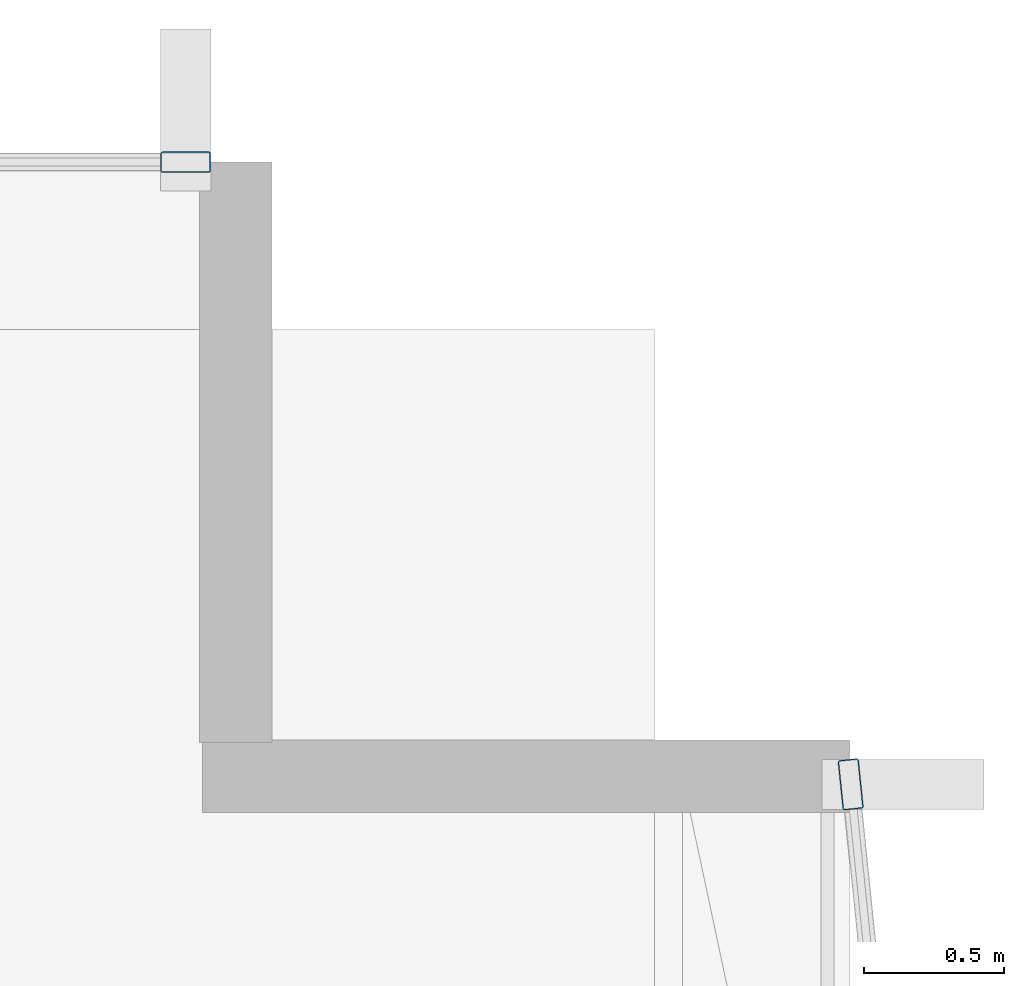
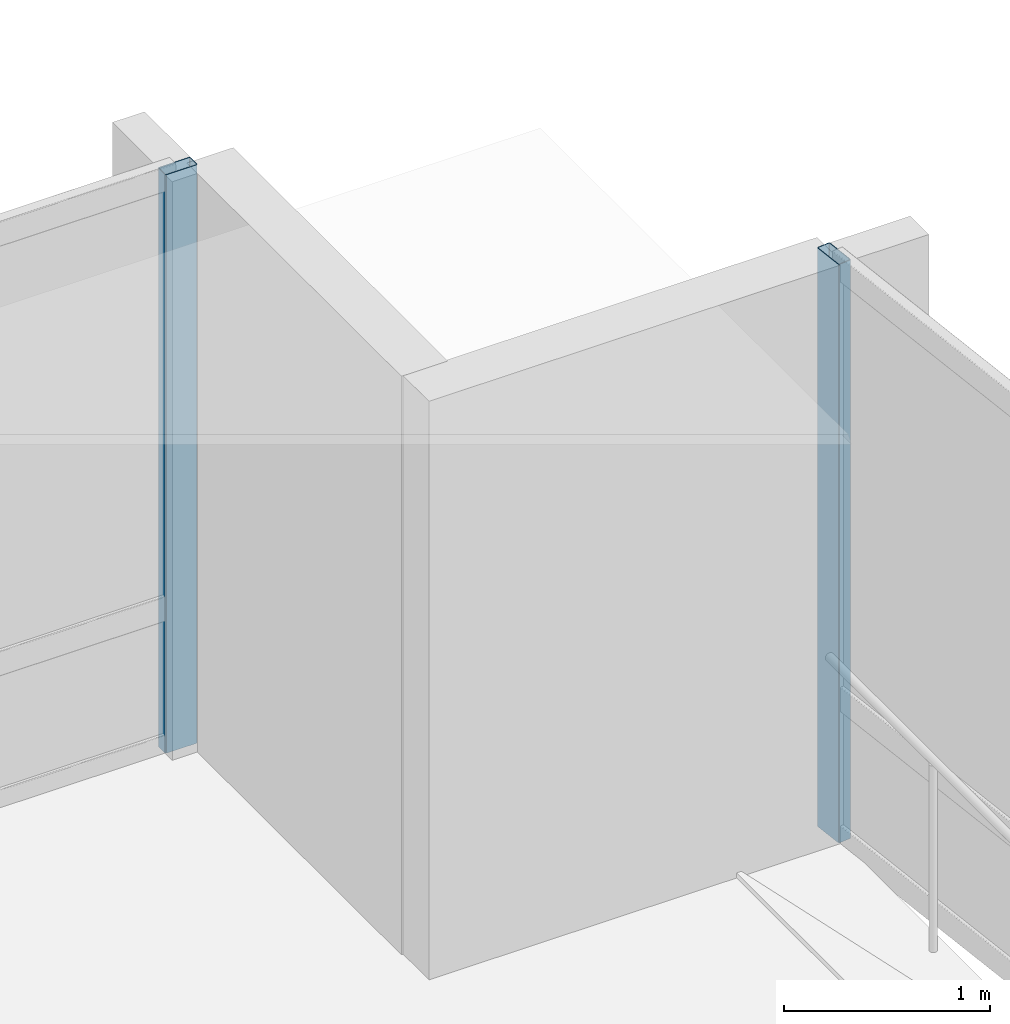
# One storey, part 17 of 34: 2 members, 2 elements without a shape of their own.
"""IFC4 building model written with IfcOpenShell, lengths in metres."""

from ifc_helpers import new_model, si_unit, direction, frame, origin, origin_2d, place, context, subcontext, project, spatial, hollow_rectangle, extrude, material, layer, layer_set, material_profile, profile_set, type_object, element, aggregate, save


model = new_model("IFC4")

# Units and contexts
model_context = context("Model", 3, precision=1e-05, world=origin(), true_north=direction((0.0, 1.0)))
body_context = subcontext(model_context, "Body", "Model", "MODEL_VIEW")
ifc_project = project(units=[si_unit("LENGTHUNIT", "METRE"), si_unit("AREAUNIT", "SQUARE_METRE"), si_unit("VOLUMEUNIT", "CUBIC_METRE"), si_unit("PLANEANGLEUNIT", "RADIAN"), si_unit("MASSUNIT", "GRAM", prefix="KILO")], contexts=[model_context])

# Site, building, storey
site_placement = place(None, origin())
site = spatial("IfcSite", under=ifc_project, at=site_placement, CompositionType="ELEMENT")
building_placement = place(site_placement, origin())
building = spatial("IfcBuilding", under=site, at=building_placement, Name="Solvaryn Broadcast Tower", CompositionType="ELEMENT")
storey_placement = place(building_placement, frame((0.0, 0.0, 39.699951171875)))
storey = spatial("IfcBuildingStorey", under=building, at=storey_placement, Name="L08", CompositionType="ELEMENT", Elevation=39.699951171875)

# Curtain wall, member
ifc_material_1 = material(Name="Aluminium and Terracotta Unitised Curtain Wall", Category="masonry")
ifc_layer = layer(ifc_material_1, 0.199951171875)
ifc_layer_set = layer_set([ifc_layer], Name="CW-SYS2-LOWMID")
curtain_wall_type = type_object("IfcCurtainWallType", Name="CW-SYS2-LOWMID", PredefinedType="NOTDEFINED", material=ifc_layer_set)
curtain_wall_1_placement = place(storey_placement, origin())
curtain_wall_1 = element("IfcCurtainWall", 1, at=curtain_wall_1_placement, inside=storey, type_object=curtain_wall_type, Name="L08 Curtain Wall ET1", PredefinedType="NOTDEFINED")
ifc_material_2 = material(Name="Anodised Aluminium 6063-T6", Category="aluminium")
ifc_material_profile = material_profile(ifc_material_2, hollow_rectangle(XDim=0.074951171875, YDim=0.179931640625, WallThickness=0.00390625, InnerFilletRadius=0.00390625, OuterFilletRadius=0.008056640625, at=origin_2d()))
ifc_profile_set = profile_set([ifc_material_profile], Name="Anodised Aluminium 6063-T6")
member_type = type_object("IfcMemberType", Name="CW-MUL-180", PredefinedType="MULLION", material=ifc_profile_set)
member_1_placement = place(storey_placement, frame((63.003173828125, 24.770263671875, 0.0), z_axis=(0.0, 0.0, 1.0), x_axis=(0.99474329889, 0.10240004548, 0.0)))
member_1 = element("IfcMember", 2, at=member_1_placement, type_object=member_type, Name="CWS2 mullion 1", PredefinedType="MULLION", context=body_context, shape_type="SweptSolid", body=[
    extrude(hollow_rectangle(XDim=0.074951171875, YDim=0.179931640625, WallThickness=0.00390625, InnerFilletRadius=0.00390625, OuterFilletRadius=0.008056640625, at=origin_2d()), origin(), (0.0, 0.0, 1.0), 3.420166015625),
])
aggregate(curtain_wall_1, [member_1])

curtain_wall_2_placement = place(storey_placement, origin())
curtain_wall_2 = element("IfcCurtainWall", 3, at=curtain_wall_2_placement, inside=storey, type_object=curtain_wall_type, Name="L08 Curtain Wall IH", PredefinedType="NOTDEFINED")
member_2_placement = place(storey_placement, frame((60.6201171875, 27.0, 0.0), z_axis=(0.0, 0.0, 1.0), x_axis=(0.0, 1.0, 0.0)))
member_2 = element("IfcMember", 4, at=member_2_placement, type_object=member_type, Name="CWS2 mullion 2", PredefinedType="MULLION", context=body_context, shape_type="SweptSolid", body=[
    extrude(hollow_rectangle(XDim=0.074951171875, YDim=0.179931640625, WallThickness=0.00390625, InnerFilletRadius=0.00390625, OuterFilletRadius=0.008056640625, at=origin_2d()), origin(), (0.0, 0.0, 1.0), 3.420166015625),
])
aggregate(curtain_wall_2, [member_2])

save(model, "model.ifc")
